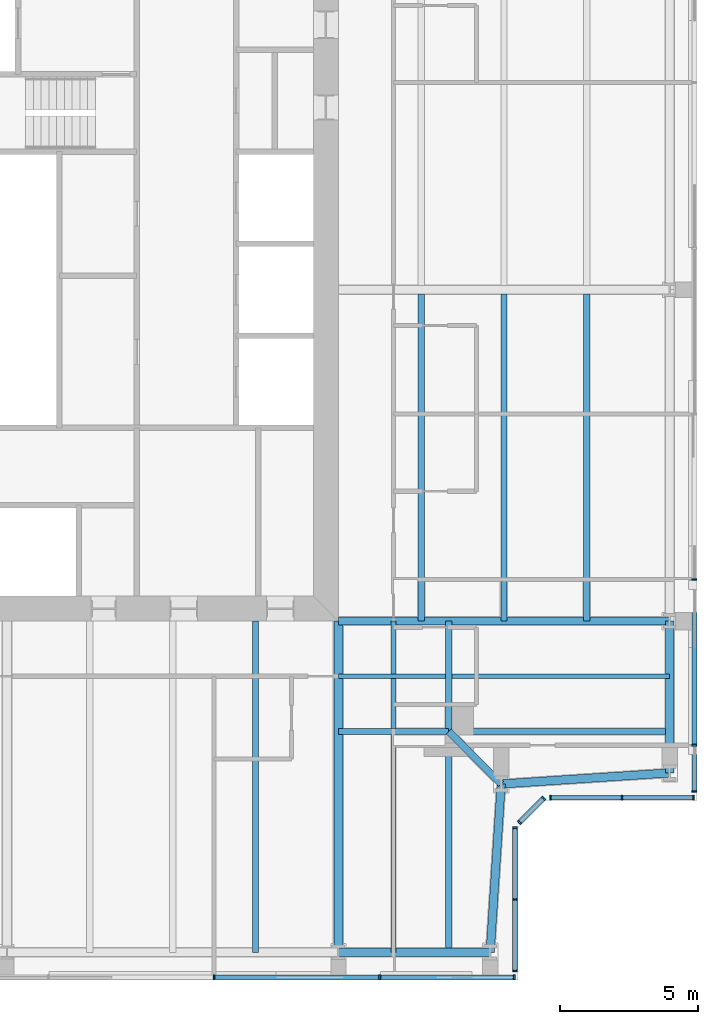
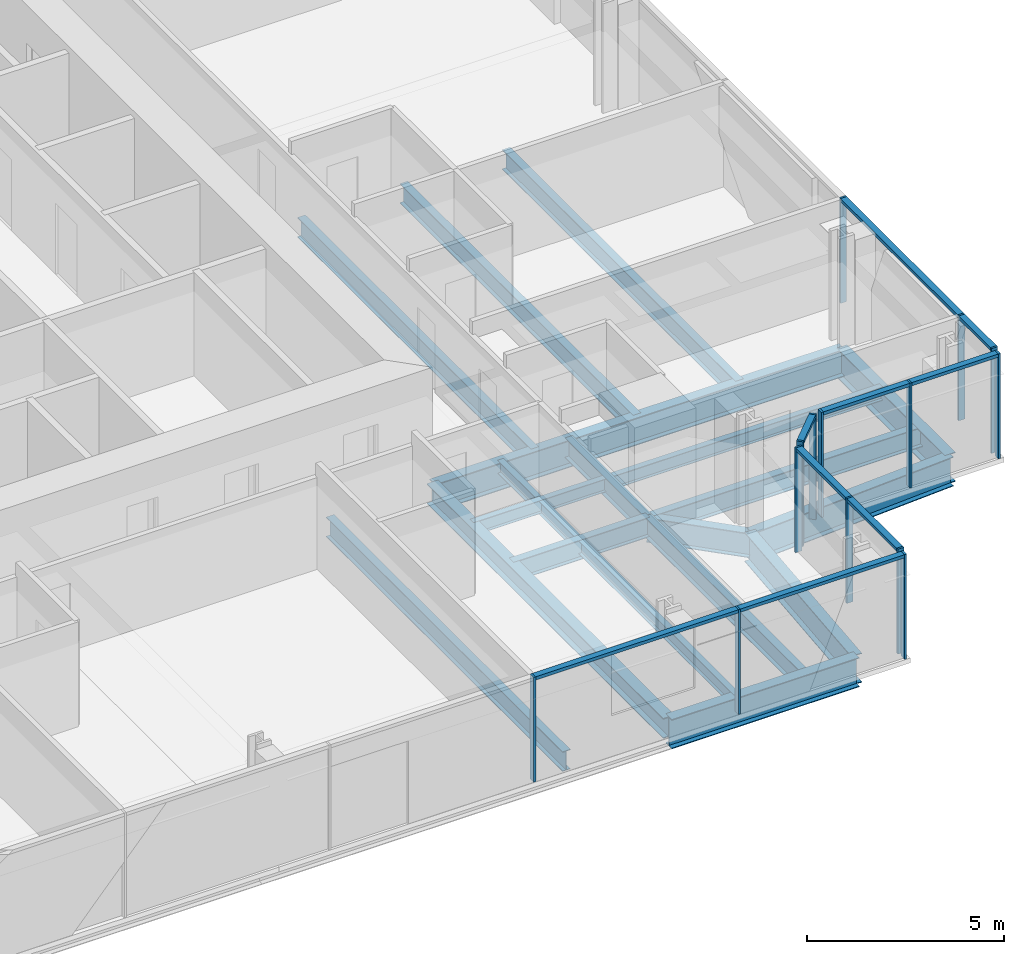
# One storey, part 5 of 19: 23 members, 20 beams, 5 elements without a shape of their own.
"""IFC4 building model written with IfcOpenShell, lengths in metres."""

from ifc_helpers import new_model, si_unit, direction, frame, origin, origin_2d, place, context, subcontext, project, spatial, rectangle, i_section, extrude, material, material_profile, profile_set, type_object, element, aggregate, save


model = new_model("IFC4")

# Units and contexts
model_context = context("Model", 3, precision=1e-05, world=origin(), true_north=direction((0.0, 1.0)))
body_context = subcontext(model_context, "Body", "Model", "MODEL_VIEW")
ifc_project = project(units=[si_unit("LENGTHUNIT", "METRE"), si_unit("AREAUNIT", "SQUARE_METRE"), si_unit("VOLUMEUNIT", "CUBIC_METRE"), si_unit("PLANEANGLEUNIT", "RADIAN"), si_unit("MASSUNIT", "GRAM", prefix="KILO")], contexts=[model_context])

# Site, building, storey
site_placement = place(None, origin())
site = spatial("IfcSite", under=ifc_project, at=site_placement, CompositionType="ELEMENT")
building_placement = place(site_placement, origin())
building = spatial("IfcBuilding", under=site, at=building_placement, Name="Fenwick Lantern Interchange", CompositionType="ELEMENT")
storey_placement = place(building_placement, frame((0.0, 0.0, 273.0)))
storey = spatial("IfcBuildingStorey", under=building, at=storey_placement, Name="L65", CompositionType="ELEMENT", Elevation=273.0)

# Beams
ifc_material_1 = material(Name="Steel ASTM A992 Grade 50", Category="steel")
ifc_material_profile_1 = material_profile(ifc_material_1, i_section(OverallWidth=0.3046875, OverallDepth=0.911865234375, WebThickness=0.015869140625, FlangeThickness=0.02392578125, at=origin_2d()), Name="W36X150")
ifc_profile_set_1 = profile_set([ifc_material_profile_1], Name="Steel ASTM A992 Grade 50")
beam_type_1 = type_object("IfcBeamType", Name="EDGE BEAM W36X150", PredefinedType="SPANDREL", material=ifc_profile_set_1)
beam_1_placement = place(storey_placement, frame((37.0, 1.0, -0.60595703125), z_axis=(1.0, 0.0, 0.0), x_axis=(0.0, 1.0, 0.0)))
element("IfcBeam", 1, at=beam_1_placement, inside=storey, type_object=beam_type_1, Name="L65/FR/S/EB4", PredefinedType="SPANDREL", context=body_context, shape_type="SweptSolid", body=[
    extrude(i_section(OverallWidth=0.3046875, OverallDepth=0.911865234375, WebThickness=0.015869140625, FlangeThickness=0.02392578125, at=origin_2d()), origin(), (0.0, 0.0, 1.0), 5.5),
])
for number, where, z_axis, x_axis, name in (
    (2, (42.5, 1.0, -0.60595703125), (0.065416293237, 0.997858060337, 0.0), (-0.997858060337, 0.065416293237, 0.0), "L65/FR/S/EBR1"),
    (3, (42.89990234375, 7.10009765625, -0.60595703125), (0.997858060337, 0.065416293237, 0.0), (-0.065416293237, 0.997858060337, 0.0), "L65/FR/S/EBR2"),
):
    element("IfcBeam", number, at=place(storey_placement, frame(where, z_axis=z_axis, x_axis=x_axis)), inside=storey, type_object=beam_type_1, Name=name, PredefinedType="SPANDREL", context=body_context, shape_type="SweptSolid", body=[
        extrude(i_section(OverallWidth=0.3046875, OverallDepth=0.911865234375, WebThickness=0.015869140625, FlangeThickness=0.02392578125, at=origin_2d()), origin(), (0.0, 0.0, 1.0), 6.11328125),
    ])
beam_2_placement = place(storey_placement, frame((49.0, 7.5, -0.60595703125), z_axis=(0.0, 1.0, 0.0), x_axis=(-1.0, 0.0, 0.0)))
element("IfcBeam", 4, at=beam_2_placement, inside=storey, type_object=beam_type_1, Name="L65/FR/E/EB1", PredefinedType="SPANDREL", context=body_context, shape_type="SweptSolid", body=[
    extrude(i_section(OverallWidth=0.3046875, OverallDepth=0.911865234375, WebThickness=0.015869140625, FlangeThickness=0.02392578125, at=origin_2d()), origin(), (0.0, 0.0, 1.0), 5.5),
])
ifc_material_profile_2 = material_profile(ifc_material_1, i_section(OverallWidth=0.22900390625, OverallDepth=0.612060546875, WebThickness=0.011962890625, FlangeThickness=0.01953125, at=origin_2d()), Name="W24X84")
ifc_profile_set_2 = profile_set([ifc_material_profile_2], Name="Steel ASTM A992 Grade 50")
beam_type_2 = type_object("IfcBeamType", Name="FLOOR BEAM W24X84", PredefinedType="BEAM", material=ifc_profile_set_2)
beam_3_placement = place(storey_placement, frame((34.0, 1.0, -0.4560546875), z_axis=(0.0, 1.0, 0.0), x_axis=(-1.0, 0.0, 0.0)))
element("IfcBeam", 5, at=beam_3_placement, inside=storey, type_object=beam_type_2, Name="L65/FR/S/R08", PredefinedType="BEAM", context=body_context, shape_type="SweptSolid", body=[
    extrude(i_section(OverallWidth=0.22900390625, OverallDepth=0.612060546875, WebThickness=0.011962890625, FlangeThickness=0.01953125, at=origin_2d()), origin(), (0.0, 0.0, 1.0), 12.0),
])
for number, where, z_axis, x_axis, name in (
    (6, (46.0, 13.0, -0.4560546875), (0.0, 1.0, 0.0), (-1.0, 0.0, 0.0), "L65/FR/E/B01"),
    (7, (43.0, 13.0, -0.4560546875), (0.0, 1.0, 0.0), (-1.0, 0.0, 0.0), "L65/FR/E/B02"),
    (8, (40.0, 13.0, -0.4560546875), (0.0, 1.0, 0.0), (-1.0, 0.0, 0.0), "L65/FR/E/B03"),
):
    element("IfcBeam", number, at=place(storey_placement, frame(where, z_axis=z_axis, x_axis=x_axis)), inside=storey, type_object=beam_type_2, Name=name, PredefinedType="BEAM", context=body_context, shape_type="SweptSolid", body=[
        extrude(i_section(OverallWidth=0.22900390625, OverallDepth=0.612060546875, WebThickness=0.011962890625, FlangeThickness=0.01953125, at=origin_2d()), origin(), (0.0, 0.0, 1.0), 11.844970703125),
    ])

# Curtain wall, members
ifc_material_2 = material(Name="Aluminium curtain wall frame", Category="aluminium")
curtain_wall_type = type_object("IfcCurtainWallType", Name="HOTEL CURTAIN WALL", PredefinedType="USERDEFINED", material=ifc_material_2)
curtain_wall_1_placement = place(storey_placement, origin())
curtain_wall_1 = element("IfcCurtainWall", 9, at=curtain_wall_1_placement, inside=storey, type_object=curtain_wall_type, Name="Hotel curtain wall 01", ObjectType="HOTEL CURTAIN WALL", PredefinedType="USERDEFINED")
ifc_material_3 = material(Name="Aluminium extrusion", Category="aluminium")
ifc_material_profile_3 = material_profile(ifc_material_3, rectangle(XDim=0.179931640625, YDim=0.06005859375, at=origin_2d()), Name="HOTEL CURTAIN WALL MULLION 60 X 180")
ifc_profile_set_3 = profile_set([ifc_material_profile_3], Name="Aluminium extrusion")
member_type_1 = type_object("IfcMemberType", Name="HOTEL CURTAIN WALL MULLION 60 X 180", PredefinedType="MULLION", material=ifc_profile_set_3)
member_1_placement = place(storey_placement, frame((32.5, 0.10009765625, 0.0), z_axis=(0.0, 0.0, 1.0), x_axis=(0.0, 1.0, 0.0)))
member_1 = element("IfcMember", 10, at=member_1_placement, type_object=member_type_1, Name="L65/CW/01/M05", PredefinedType="MULLION", context=body_context, shape_type="SweptSolid", body=[
    extrude(rectangle(XDim=0.179931640625, YDim=0.06005859375, at=origin_2d()), origin(), (0.0, 0.0, 1.0), 3.25),
])
member_2_placement = place(storey_placement, frame((38.5, 0.10009765625, 0.0), z_axis=(0.0, 0.0, 1.0), x_axis=(0.0, 1.0, 0.0)))
member_2 = element("IfcMember", 11, at=member_2_placement, type_object=member_type_1, Name="L65/CW/01/M06", PredefinedType="MULLION", context=body_context, shape_type="SweptSolid", body=[
    extrude(rectangle(XDim=0.179931640625, YDim=0.06005859375, at=origin_2d()), origin(), (0.0, 0.0, 1.0), 3.25),
])
member_3_placement = place(storey_placement, frame((43.3701171875, 0.10009765625, 0.0), z_axis=(0.0, 0.0, 1.0), x_axis=(0.0, 1.0, 0.0)))
member_3 = element("IfcMember", 12, at=member_3_placement, type_object=member_type_1, Name="L65/CW/01/M07", PredefinedType="MULLION", context=body_context, shape_type="SweptSolid", body=[
    extrude(rectangle(XDim=0.179931640625, YDim=0.06005859375, at=origin_2d()), origin(), (0.0, 0.0, 1.0), 3.25),
])

curtain_wall_2_placement = place(storey_placement, origin())
curtain_wall_2 = element("IfcCurtainWall", 13, at=curtain_wall_2_placement, inside=storey, type_object=curtain_wall_type, Name="Hotel curtain wall 02", ObjectType="HOTEL CURTAIN WALL", PredefinedType="USERDEFINED")
member_4_placement = place(storey_placement, frame((43.39990234375, 0.330078125, 0.0), z_axis=(0.0, 0.0, 1.0), x_axis=(-1.0, 0.0, 0.0)))
member_4 = element("IfcMember", 14, at=member_4_placement, type_object=member_type_1, Name="L65/CW/02/M00", PredefinedType="MULLION", context=body_context, shape_type="SweptSolid", body=[
    extrude(rectangle(XDim=0.179931640625, YDim=0.06005859375, at=origin_2d()), origin(), (0.0, 0.0, 1.0), 3.25),
])
member_5_placement = place(storey_placement, frame((43.39990234375, 2.920654296875, 0.0), z_axis=(0.0, 0.0, 1.0), x_axis=(-1.0, 0.0, 0.0)))
member_5 = element("IfcMember", 15, at=member_5_placement, type_object=member_type_1, Name="L65/CW/02/M01", PredefinedType="MULLION", context=body_context, shape_type="SweptSolid", body=[
    extrude(rectangle(XDim=0.179931640625, YDim=0.06005859375, at=origin_2d()), origin(), (0.0, 0.0, 1.0), 3.25),
])
member_6_placement = place(storey_placement, frame((43.39990234375, 5.511474609375, 0.0), z_axis=(0.0, 0.0, 1.0), x_axis=(-1.0, 0.0, 0.0)))
member_6 = element("IfcMember", 16, at=member_6_placement, type_object=member_type_1, Name="L65/CW/02/M02", PredefinedType="MULLION", context=body_context, shape_type="SweptSolid", body=[
    extrude(rectangle(XDim=0.179931640625, YDim=0.06005859375, at=origin_2d()), origin(), (0.0, 0.0, 1.0), 3.25),
])

curtain_wall_3_placement = place(storey_placement, origin())
curtain_wall_3 = element("IfcCurtainWall", 17, at=curtain_wall_3_placement, inside=storey, type_object=curtain_wall_type, Name="Hotel curtain wall 03", ObjectType="HOTEL CURTAIN WALL", PredefinedType="USERDEFINED")
member_7_placement = place(storey_placement, frame((43.562744140625, 5.7041015625, 0.0), z_axis=(0.0, 0.0, 1.0), x_axis=(-0.707106781187, 0.707106781187, 0.0)))
member_7 = element("IfcMember", 18, at=member_7_placement, type_object=member_type_1, Name="L65/CW/03/M00", PredefinedType="MULLION", context=body_context, shape_type="SweptSolid", body=[
    extrude(rectangle(XDim=0.179931640625, YDim=0.06005859375, at=origin_2d()), origin(), (0.0, 0.0, 1.0), 3.25),
])
member_8_placement = place(storey_placement, frame((44.437255859375, 6.578857421875, 0.0), z_axis=(0.0, 0.0, 1.0), x_axis=(-0.707106781187, 0.707106781187, 0.0)))
member_8 = element("IfcMember", 19, at=member_8_placement, type_object=member_type_1, Name="L65/CW/03/M01", PredefinedType="MULLION", context=body_context, shape_type="SweptSolid", body=[
    extrude(rectangle(XDim=0.179931640625, YDim=0.06005859375, at=origin_2d()), origin(), (0.0, 0.0, 1.0), 3.25),
])

curtain_wall_4_placement = place(storey_placement, origin())
curtain_wall_4 = element("IfcCurtainWall", 20, at=curtain_wall_4_placement, inside=storey, type_object=curtain_wall_type, Name="Hotel curtain wall 04", ObjectType="HOTEL CURTAIN WALL", PredefinedType="USERDEFINED")
member_9_placement = place(storey_placement, frame((44.6884765625, 6.60009765625, 0.0), z_axis=(0.0, 0.0, 1.0), x_axis=(0.0, 1.0, 0.0)))
member_9 = element("IfcMember", 21, at=member_9_placement, type_object=member_type_1, Name="L65/CW/04/M00", PredefinedType="MULLION", context=body_context, shape_type="SweptSolid", body=[
    extrude(rectangle(XDim=0.179931640625, YDim=0.06005859375, at=origin_2d()), origin(), (0.0, 0.0, 1.0), 3.25),
])
member_10_placement = place(storey_placement, frame((47.279296875, 6.60009765625, 0.0), z_axis=(0.0, 0.0, 1.0), x_axis=(0.0, 1.0, 0.0)))
member_10 = element("IfcMember", 22, at=member_10_placement, type_object=member_type_1, Name="L65/CW/04/M01", PredefinedType="MULLION", context=body_context, shape_type="SweptSolid", body=[
    extrude(rectangle(XDim=0.179931640625, YDim=0.06005859375, at=origin_2d()), origin(), (0.0, 0.0, 1.0), 3.25),
])
member_11_placement = place(storey_placement, frame((49.8701171875, 6.60009765625, 0.0), z_axis=(0.0, 0.0, 1.0), x_axis=(0.0, 1.0, 0.0)))
member_11 = element("IfcMember", 23, at=member_11_placement, type_object=member_type_1, Name="L65/CW/04/M02", PredefinedType="MULLION", context=body_context, shape_type="SweptSolid", body=[
    extrude(rectangle(XDim=0.179931640625, YDim=0.06005859375, at=origin_2d()), origin(), (0.0, 0.0, 1.0), 3.25),
])

curtain_wall_5_placement = place(storey_placement, origin())
curtain_wall_5 = element("IfcCurtainWall", 24, at=curtain_wall_5_placement, inside=storey, type_object=curtain_wall_type, Name="Hotel curtain wall 05", ObjectType="HOTEL CURTAIN WALL", PredefinedType="USERDEFINED")
member_12_placement = place(storey_placement, frame((49.89990234375, 6.830078125, 0.0), z_axis=(0.0, 0.0, 1.0), x_axis=(-1.0, 0.0, 0.0)))
member_12 = element("IfcMember", 25, at=member_12_placement, type_object=member_type_1, Name="L65/CW/05/M00", PredefinedType="MULLION", context=body_context, shape_type="SweptSolid", body=[
    extrude(rectangle(XDim=0.179931640625, YDim=0.06005859375, at=origin_2d()), origin(), (0.0, 0.0, 1.0), 3.25),
])
member_13_placement = place(storey_placement, frame((49.89990234375, 8.5, 0.0), z_axis=(0.0, 0.0, 1.0), x_axis=(-1.0, 0.0, 0.0)))
member_13 = element("IfcMember", 26, at=member_13_placement, type_object=member_type_1, Name="L65/CW/05/M01", PredefinedType="MULLION", context=body_context, shape_type="SweptSolid", body=[
    extrude(rectangle(XDim=0.179931640625, YDim=0.06005859375, at=origin_2d()), origin(), (0.0, 0.0, 1.0), 3.25),
])
member_14_placement = place(storey_placement, frame((49.89990234375, 14.5, 0.0), z_axis=(0.0, 0.0, 1.0), x_axis=(-1.0, 0.0, 0.0)))
member_14 = element("IfcMember", 27, at=member_14_placement, type_object=member_type_1, Name="L65/CW/05/M02", PredefinedType="MULLION", context=body_context, shape_type="SweptSolid", body=[
    extrude(rectangle(XDim=0.179931640625, YDim=0.06005859375, at=origin_2d()), origin(), (0.0, 0.0, 1.0), 3.25),
])

# Member
ifc_material_profile_4 = material_profile(ifc_material_3, rectangle(XDim=0.179931640625, YDim=0.10009765625, at=origin_2d()), Name="HOTEL CURTAIN WALL TRANSOM 100 X 180")
ifc_profile_set_4 = profile_set([ifc_material_profile_4], Name="Aluminium extrusion")
member_type_2 = type_object("IfcMemberType", Name="HOTEL CURTAIN WALL TRANSOM 100 X 180", PredefinedType="MULLION", material=ifc_profile_set_4)
member_15_placement = place(storey_placement, frame((32.530029296875, 0.10009765625, 3.199951171875), z_axis=(1.0, 0.0, 0.0), x_axis=(0.0, 1.0, 0.0)))
member_15 = element("IfcMember", 28, at=member_15_placement, type_object=member_type_2, Name="L65/CW/01/T05", PredefinedType="MULLION", context=body_context, shape_type="SweptSolid", body=[
    extrude(rectangle(XDim=0.179931640625, YDim=0.10009765625, at=origin_2d()), origin(), (0.0, 0.0, 1.0), 5.93994140625),
])

member_16_placement = place(storey_placement, frame((38.530029296875, 0.10009765625, 3.199951171875), z_axis=(1.0, 0.0, 0.0), x_axis=(0.0, 1.0, 0.0)))
member_16 = element("IfcMember", 29, at=member_16_placement, type_object=member_type_2, Name="L65/CW/01/T06", PredefinedType="MULLION", context=body_context, shape_type="SweptSolid", body=[
    extrude(rectangle(XDim=0.179931640625, YDim=0.10009765625, at=origin_2d()), origin(), (0.0, 0.0, 1.0), 4.81005859375),
])

aggregate(curtain_wall_1, [member_1, member_2, member_3, member_15, member_16])

member_17_placement = place(storey_placement, frame((43.39990234375, 0.360107421875, 3.199951171875), z_axis=(0.0, 1.0, 0.0), x_axis=(-1.0, 0.0, 0.0)))
member_17 = element("IfcMember", 30, at=member_17_placement, type_object=member_type_2, Name="L65/CW/02/T00", PredefinedType="MULLION", context=body_context, shape_type="SweptSolid", body=[
    extrude(rectangle(XDim=0.179931640625, YDim=0.10009765625, at=origin_2d()), origin(), (0.0, 0.0, 1.0), 2.530517578125),
])

member_18_placement = place(storey_placement, frame((43.39990234375, 2.95068359375, 3.199951171875), z_axis=(0.0, 1.0, 0.0), x_axis=(-1.0, 0.0, 0.0)))
member_18 = element("IfcMember", 31, at=member_18_placement, type_object=member_type_2, Name="L65/CW/02/T01", PredefinedType="MULLION", context=body_context, shape_type="SweptSolid", body=[
    extrude(rectangle(XDim=0.179931640625, YDim=0.10009765625, at=origin_2d()), origin(), (0.0, 0.0, 1.0), 2.53076171875),
])

aggregate(curtain_wall_2, [member_4, member_5, member_6, member_17, member_18])

member_19_placement = place(storey_placement, frame((43.583740234375, 5.725341796875, 3.199951171875), z_axis=(0.707210470133, 0.707003077033, 0.0), x_axis=(-0.707003077033, 0.707210470133, 0.0)))
member_19 = element("IfcMember", 32, at=member_19_placement, type_object=member_type_2, Name="L65/CW/03/T00", PredefinedType="MULLION", context=body_context, shape_type="SweptSolid", body=[
    extrude(rectangle(XDim=0.179931640625, YDim=0.10009765625, at=origin_2d()), origin(), (0.0, 0.0, 1.0), 1.17724609375),
])

aggregate(curtain_wall_3, [member_7, member_8, member_19])

member_20_placement = place(storey_placement, frame((44.718505859375, 6.60009765625, 3.199951171875), z_axis=(1.0, 0.0, 0.0), x_axis=(0.0, 1.0, 0.0)))
member_20 = element("IfcMember", 33, at=member_20_placement, type_object=member_type_2, Name="L65/CW/04/T00", PredefinedType="MULLION", context=body_context, shape_type="SweptSolid", body=[
    extrude(rectangle(XDim=0.179931640625, YDim=0.10009765625, at=origin_2d()), origin(), (0.0, 0.0, 1.0), 2.53076171875),
])

member_21_placement = place(storey_placement, frame((47.309326171875, 6.60009765625, 3.199951171875), z_axis=(1.0, 0.0, 0.0), x_axis=(0.0, 1.0, 0.0)))
member_21 = element("IfcMember", 34, at=member_21_placement, type_object=member_type_2, Name="L65/CW/04/T01", PredefinedType="MULLION", context=body_context, shape_type="SweptSolid", body=[
    extrude(rectangle(XDim=0.179931640625, YDim=0.10009765625, at=origin_2d()), origin(), (0.0, 0.0, 1.0), 2.53076171875),
])

aggregate(curtain_wall_4, [member_9, member_10, member_11, member_20, member_21])

member_22_placement = place(storey_placement, frame((49.89990234375, 6.860107421875, 3.199951171875), z_axis=(0.0, 1.0, 0.0), x_axis=(-1.0, 0.0, 0.0)))
member_22 = element("IfcMember", 35, at=member_22_placement, type_object=member_type_2, Name="L65/CW/05/T00", PredefinedType="MULLION", context=body_context, shape_type="SweptSolid", body=[
    extrude(rectangle(XDim=0.179931640625, YDim=0.10009765625, at=origin_2d()), origin(), (0.0, 0.0, 1.0), 1.60986328125),
])

member_23_placement = place(storey_placement, frame((49.89990234375, 8.530029296875, 3.199951171875), z_axis=(0.0, 1.0, 0.0), x_axis=(-1.0, 0.0, 0.0)))
member_23 = element("IfcMember", 36, at=member_23_placement, type_object=member_type_2, Name="L65/CW/05/T01", PredefinedType="MULLION", context=body_context, shape_type="SweptSolid", body=[
    extrude(rectangle(XDim=0.179931640625, YDim=0.10009765625, at=origin_2d()), origin(), (0.0, 0.0, 1.0), 5.93994140625),
])

aggregate(curtain_wall_5, [member_12, member_13, member_14, member_22, member_23])

# Beams
ifc_material_profile_5 = material_profile(ifc_material_1, i_section(OverallWidth=0.177734375, OverallDepth=0.406494140625, WebThickness=0.0078125, FlangeThickness=0.012939453125, at=origin_2d()), Name="W16X40")
ifc_profile_set_5 = profile_set([ifc_material_profile_5], Name="Steel ASTM A992 Grade 50")
beam_type_3 = type_object("IfcBeamType", Name="INFILL BEAM W16X40", PredefinedType="JOIST", material=ifc_profile_set_5)
beam_4_placement = place(storey_placement, frame((49.0, 11.0, -0.353271484375), z_axis=(-1.0, 0.0, 0.0), x_axis=(0.0, -1.0, 0.0)))
element("IfcBeam", 37, at=beam_4_placement, inside=storey, type_object=beam_type_3, Name="L65/FR/E/J1", PredefinedType="JOIST", context=body_context, shape_type="SweptSolid", body=[
    extrude(i_section(OverallWidth=0.177734375, OverallDepth=0.406494140625, WebThickness=0.0078125, FlangeThickness=0.012939453125, at=origin_2d()), origin(), (0.0, 0.0, 1.0), 7.885498046875),
])
beam_5_placement = place(storey_placement, frame((40.885498046875, 11.0, -0.353271484375), z_axis=(-1.0, 0.0, 0.0), x_axis=(0.0, -1.0, 0.0)))
element("IfcBeam", 38, at=beam_5_placement, inside=storey, type_object=beam_type_3, Name="L65/FR/E/J2", PredefinedType="JOIST", context=body_context, shape_type="SweptSolid", body=[
    extrude(i_section(OverallWidth=0.177734375, OverallDepth=0.406494140625, WebThickness=0.0078125, FlangeThickness=0.012939453125, at=origin_2d()), origin(), (0.0, 0.0, 1.0), 3.885498046875),
])
beam_6_placement = place(storey_placement, frame((39.0, 1.0, -0.353271484375), z_axis=(0.0, 1.0, 0.0), x_axis=(-1.0, 0.0, 0.0)))
element("IfcBeam", 39, at=beam_6_placement, inside=storey, type_object=beam_type_3, Name="L65/FR/E/J3", PredefinedType="JOIST", context=body_context, shape_type="SweptSolid", body=[
    extrude(i_section(OverallWidth=0.177734375, OverallDepth=0.406494140625, WebThickness=0.0078125, FlangeThickness=0.012939453125, at=origin_2d()), origin(), (0.0, 0.0, 1.0), 7.885498046875),
])
beam_7_placement = place(storey_placement, frame((39.0, 9.114501953125, -0.353271484375), z_axis=(0.0, 1.0, 0.0), x_axis=(-1.0, 0.0, 0.0)))
element("IfcBeam", 40, at=beam_7_placement, inside=storey, type_object=beam_type_3, Name="L65/FR/E/J4", PredefinedType="JOIST", context=body_context, shape_type="SweptSolid", body=[
    extrude(i_section(OverallWidth=0.177734375, OverallDepth=0.406494140625, WebThickness=0.0078125, FlangeThickness=0.012939453125, at=origin_2d()), origin(), (0.0, 0.0, 1.0), 1.796630859375),
])
beam_8_placement = place(storey_placement, frame((39.0, 11.0888671875, -0.353271484375), z_axis=(0.0, 1.0, 0.0), x_axis=(-1.0, 0.0, 0.0)))
element("IfcBeam", 41, at=beam_8_placement, inside=storey, type_object=beam_type_3, Name="L65/FR/E/J5", PredefinedType="JOIST", context=body_context, shape_type="SweptSolid", body=[
    extrude(i_section(OverallWidth=0.177734375, OverallDepth=0.406494140625, WebThickness=0.0078125, FlangeThickness=0.012939453125, at=origin_2d()), origin(), (0.0, 0.0, 1.0), 1.9111328125),
])
ifc_material_profile_6 = material_profile(ifc_material_1, i_section(OverallWidth=0.22900390625, OverallDepth=0.612060546875, WebThickness=0.011962890625, FlangeThickness=0.01953125, at=origin_2d()), Name="W24X84")
ifc_profile_set_6 = profile_set([ifc_material_profile_6], Name="Steel ASTM A992 Grade 50")
beam_type_4 = type_object("IfcBeamType", Name="MEGA COLUMN BEAM W24X84", PredefinedType="BEAM", material=ifc_profile_set_6)
for number, where, z_axis, x_axis, name in (
    (42, (41.0, 9.0, -0.4560546875), (1.0, 0.0, 0.0), (0.0, 1.0, 0.0), "L65/FR/E/MB1"),
    (43, (41.0, 9.0, -0.4560546875), (0.0, -1.0, 0.0), (1.0, 0.0, 0.0), "L65/FR/E/MB2"),
):
    element("IfcBeam", number, at=place(storey_placement, frame(where, z_axis=z_axis, x_axis=x_axis)), inside=storey, type_object=beam_type_4, Name=name, PredefinedType="BEAM", context=body_context, shape_type="SweptSolid", body=[
        extrude(i_section(OverallWidth=0.22900390625, OverallDepth=0.612060546875, WebThickness=0.011962890625, FlangeThickness=0.01953125, at=origin_2d()), origin(), (0.0, 0.0, 1.0), 8.0),
    ])
for number, where, z_axis, x_axis, name in (
    (44, (41.0, 9.0, -0.4560546875), (0.0, 1.0, 0.0), (-1.0, 0.0, 0.0), "L65/FR/E/MB3"),
    (45, (41.0, 9.0, -0.4560546875), (-1.0, 0.0, 0.0), (0.0, -1.0, 0.0), "L65/FR/E/MB4"),
):
    element("IfcBeam", number, at=place(storey_placement, frame(where, z_axis=z_axis, x_axis=x_axis)), inside=storey, type_object=beam_type_4, Name=name, PredefinedType="BEAM", context=body_context, shape_type="SweptSolid", body=[
        extrude(i_section(OverallWidth=0.22900390625, OverallDepth=0.612060546875, WebThickness=0.011962890625, FlangeThickness=0.01953125, at=origin_2d()), origin(), (0.0, 0.0, 1.0), 4.0),
    ])
ifc_material_profile_7 = material_profile(ifc_material_1, i_section(OverallWidth=0.32763671875, OverallDepth=0.622314453125, WebThickness=0.015380859375, FlangeThickness=0.0244140625, at=origin_2d()), Name="W24X131")
ifc_profile_set_7 = profile_set([ifc_material_profile_7], Name="Steel ASTM A992 Grade 50")
beam_type_5 = type_object("IfcBeamType", Name="MOMENT-CONNECTED GIRDER W24X131", PredefinedType="BEAM", material=ifc_profile_set_7)
beam_9_placement = place(storey_placement, frame((37.0, 1.0, -0.461181640625), z_axis=(0.0, 1.0, 0.0), x_axis=(-1.0, 0.0, 0.0)))
element("IfcBeam", 46, at=beam_9_placement, inside=storey, type_object=beam_type_5, Name="L65/FR/S/R09", PredefinedType="BEAM", context=body_context, shape_type="SweptSolid", body=[
    extrude(i_section(OverallWidth=0.32763671875, OverallDepth=0.622314453125, WebThickness=0.015380859375, FlangeThickness=0.0244140625, at=origin_2d()), origin(), (0.0, 0.0, 1.0), 12.0),
])
ifc_material_profile_8 = material_profile(ifc_material_1, i_section(OverallWidth=0.2919921875, OverallDepth=0.845703125, WebThickness=0.015380859375, FlangeThickness=0.0244140625, at=origin_2d()), Name="W33X141")
ifc_profile_set_8 = profile_set([ifc_material_profile_8], Name="Steel ASTM A992 Grade 50")
beam_type_6 = type_object("IfcBeamType", Name="MOMENT-CONNECTED GIRDER W33X141", PredefinedType="BEAM", material=ifc_profile_set_8)
beam_10_placement = place(storey_placement, frame((49.0, 13.0, -0.572998046875), z_axis=(-1.0, 0.0, 0.0), x_axis=(0.0, -1.0, 0.0)))
element("IfcBeam", 47, at=beam_10_placement, inside=storey, type_object=beam_type_6, Name="L65/FR/E/R01", PredefinedType="BEAM", context=body_context, shape_type="SweptSolid", body=[
    extrude(i_section(OverallWidth=0.2919921875, OverallDepth=0.845703125, WebThickness=0.015380859375, FlangeThickness=0.0244140625, at=origin_2d()), origin(), (0.0, 0.0, 1.0), 12.0),
])
ifc_material_profile_9 = material_profile(ifc_material_1, i_section(OverallWidth=0.2666015625, OverallDepth=0.7568359375, WebThickness=0.013916015625, FlangeThickness=0.019287109375, at=origin_2d()), Name="W30X108")
ifc_profile_set_9 = profile_set([ifc_material_profile_9], Name="Steel ASTM A992 Grade 50")
beam_type_7 = type_object("IfcBeamType", Name="NOTCH BEAM W30X108", PredefinedType="BEAM", material=ifc_profile_set_9)
beam_11_placement = place(storey_placement, frame((41.0, 9.0, -0.528564453125), z_axis=(0.707106781187, -0.707106781187, 0.0), x_axis=(0.707106781187, 0.707106781187, 0.0)))
element("IfcBeam", 48, at=beam_11_placement, inside=storey, type_object=beam_type_7, Name="L65/FR/E/TG", PredefinedType="BEAM", context=body_context, shape_type="SweptSolid", body=[
    extrude(i_section(OverallWidth=0.2666015625, OverallDepth=0.7568359375, WebThickness=0.013916015625, FlangeThickness=0.019287109375, at=origin_2d()), origin(), (0.0, 0.0, 1.0), 2.686767578125),
])

save(model, "model.ifc")
